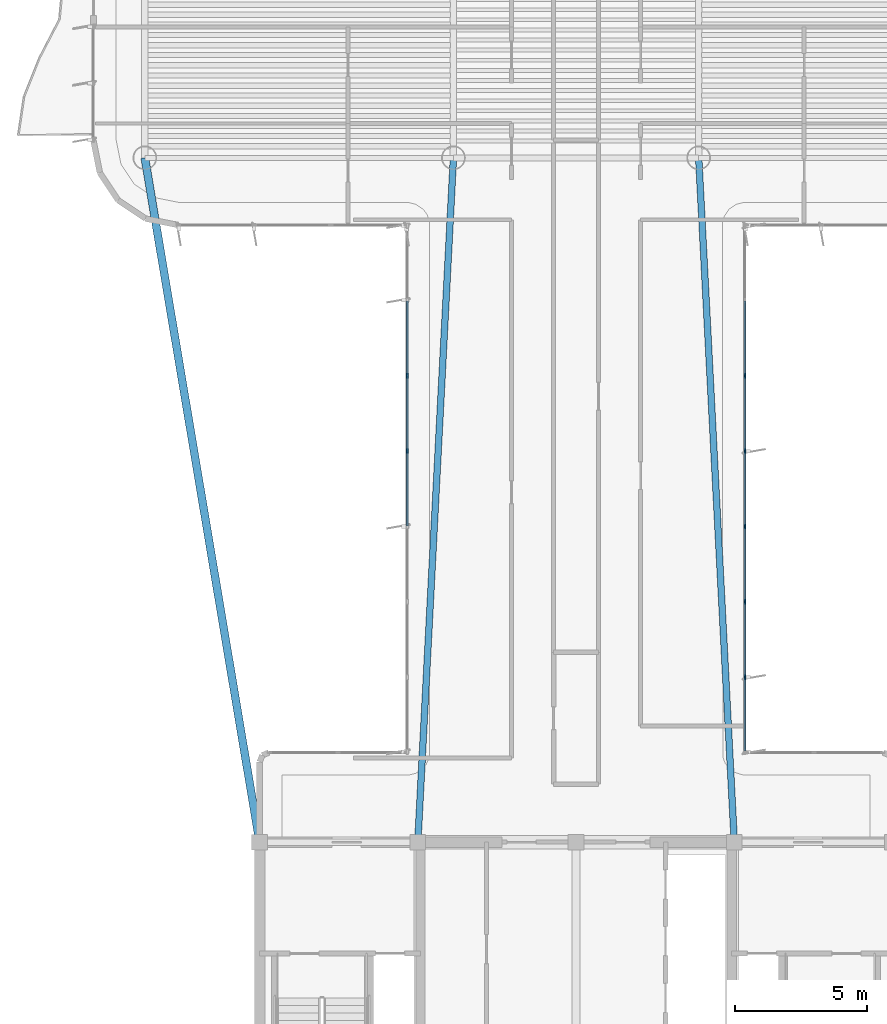
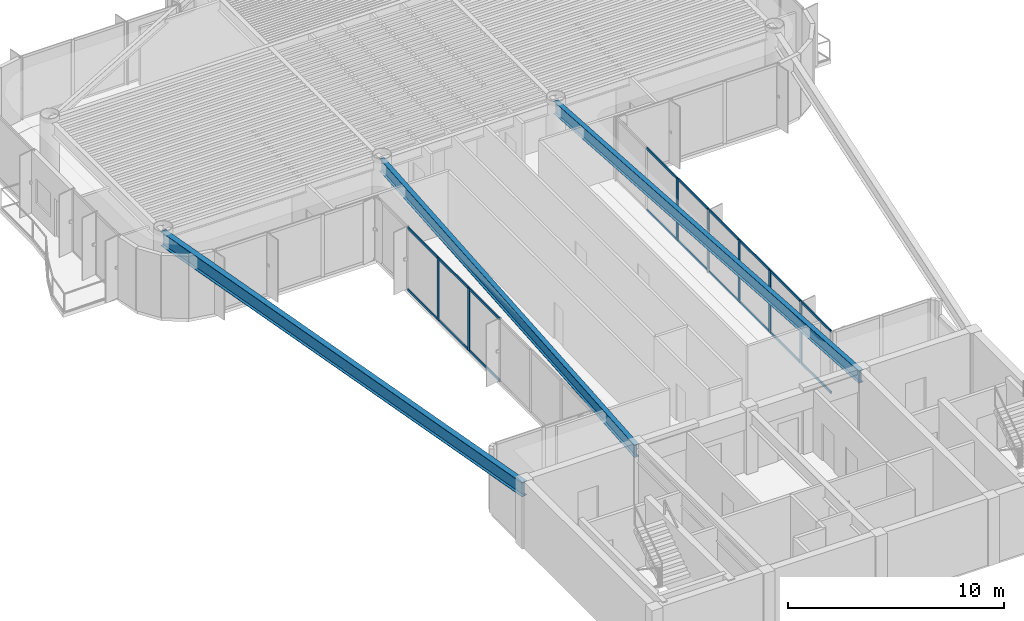
# One storey, part 3 of 15: 25 members, 3 beams, 2 elements without a shape of their own.
"""IFC4 building model written with IfcOpenShell, lengths in metres."""

import ifcopenshell
import ifcopenshell.guid

model = None  # the IFC model being written
_history = None  # IfcOwnerHistory: only IFC2X3 demands one
_inside = {}  # id of a spatial element -> (the spatial element, [elements in it])
_under = {}  # id of a project, library or spatial element -> (it, [spatial elements below it])
_declared = {}  # id of a project -> (the project, [libraries it declares])
_typed = {}  # id of a type object -> (the type object, [elements of that type])
_made_of = {}  # id of a material, layer set ... -> (it, [elements and type objects made of it])


def new_model(schema):
    """Start an empty IFC model of exactly this schema.

    Asked for "IFC4X3", IfcOpenShell would pick the latest addendum, in which some entities
    have other attributes; the version numbers below select the first issue.
    IFC2X3 requires an IfcOwnerHistory on every rooted entity: one is made here for all.
    """
    global model, _history
    if schema == "IFC4X3":
        model = ifcopenshell.file(schema_version=(4, 3, 0, 0))
    else:
        model = ifcopenshell.file(schema=schema)
    _inside.clear()
    _under.clear()
    _declared.clear()
    _typed.clear()
    _made_of.clear()
    _history = None
    if model.schema == "IFC2X3":
        org = make("IfcOrganization", Name="unknown")
        user = make(
            "IfcPersonAndOrganization",
            ThePerson=make("IfcPerson", FamilyName="unknown"),
            TheOrganization=org,
        )
        app = make(
            "IfcApplication",
            ApplicationDeveloper=org,
            Version="unknown",
            ApplicationFullName="unknown",
            ApplicationIdentifier="unknown",
        )
        _history = make(
            "IfcOwnerHistory",
            OwningUser=user,
            OwningApplication=app,
            ChangeAction="ADDED",
            CreationDate=0,
        )
    return model


def make(cls, **values):
    """One entity of the class cls with the attributes given. An attribute that is None is left unset."""
    return model.create_entity(
        cls, **{name: value for name, value in values.items() if value is not None}
    )


def rooted(cls, **values):
    """An entity with a GlobalId (a new one), such as an element, a storey or a relation."""
    return make(cls, GlobalId=ifcopenshell.guid.new(), OwnerHistory=_history, **values)


def si_unit(unit_type, name, prefix=None):
    """IfcSIUnit, for example si_unit("LENGTHUNIT", "METRE", prefix="MILLI")."""
    return make("IfcSIUnit", UnitType=unit_type, Prefix=prefix, Name=name)


def assignment(units):
    """IfcUnitAssignment: the units of a project."""
    return None if units is None else make("IfcUnitAssignment", Units=units)


def point(xyz):
    """IfcCartesianPoint."""
    return None if xyz is None else make("IfcCartesianPoint", Coordinates=xyz)


def direction(xyz):
    """IfcDirection."""
    return None if xyz is None else make("IfcDirection", DirectionRatios=xyz)


def frame(location, z_axis=None, x_axis=None):
    """IfcAxis2Placement3D, a coordinate frame: its origin and axes. An axis left out is left unset."""
    return make(
        "IfcAxis2Placement3D",
        Location=point(location),
        Axis=direction(z_axis),
        RefDirection=direction(x_axis),
    )


def frame_2d(location, x_axis=None):
    """IfcAxis2Placement2D, a coordinate frame in the plane: its origin and x axis."""
    return make(
        "IfcAxis2Placement2D", Location=point(location), RefDirection=direction(x_axis)
    )


def origin():
    """The frame at (0, 0, 0) with its axes left unset."""
    return frame((0.0, 0.0, 0.0))


def origin_2d():
    """The frame at (0, 0) in the plane with its x axis left unset."""
    return frame_2d((0.0, 0.0))


def place(relative_to, where):
    """IfcLocalPlacement: puts the frame where relative to a parent placement (None: the world)."""
    return make(
        "IfcLocalPlacement", PlacementRelTo=relative_to, RelativePlacement=where
    )


def context(
    kind, dimensions, precision=None, world=None, true_north=None, identifier=None
):
    """IfcGeometricRepresentationContext, for example the 3D "Model" context."""
    return make(
        "IfcGeometricRepresentationContext",
        ContextIdentifier=identifier,
        ContextType=kind,
        CoordinateSpaceDimension=dimensions,
        Precision=precision,
        WorldCoordinateSystem=world,
        TrueNorth=true_north,
    )


def subcontext(parent, identifier, kind, view, scale=None):
    """IfcGeometricRepresentationSubContext, for example "Body" below "Model"."""
    return make(
        "IfcGeometricRepresentationSubContext",
        ContextIdentifier=identifier,
        ContextType=kind,
        ParentContext=parent,
        TargetScale=scale,
        TargetView=view,
    )


def project(units=None, contexts=None):
    """IfcProject with its units and contexts."""
    return rooted(
        "IfcProject",
        Name="project",
        RepresentationContexts=contexts,
        UnitsInContext=assignment(units),
    )


def spatial(cls, under=None, at=None, **own):
    """A site, building, storey or space (cls), placed at a placement, below another one or the project."""
    s = rooted(cls, ObjectPlacement=at, **own)
    if under is not None:
        _under.setdefault(under.id(), (under, []))[1].append(s)
    return s


def profile(cls, at=None, kind="AREA", **sizes):
    """A parametric profile (cls). Its sizes go by their IFC names, for example OverallWidth=200.0."""
    return make(cls, ProfileType=kind, Position=at, **sizes)


def rectangle(**sizes):
    """IfcRectangleProfileDef."""
    return profile("IfcRectangleProfileDef", **sizes)


def i_section(**sizes):
    """IfcIShapeProfileDef."""
    return profile("IfcIShapeProfileDef", **sizes)


def extrude(swept, where, along, depth):
    """IfcExtrudedAreaSolid: the profile swept, set in the frame where, extruded along a direction by depth."""
    return make(
        "IfcExtrudedAreaSolid",
        SweptArea=swept,
        Position=where,
        ExtrudedDirection=direction(along),
        Depth=depth,
    )


def shape(context_of_items, identifier, shape_type, items):
    """IfcShapeRepresentation: the items that make up one representation, for example the "Body"."""
    return make(
        "IfcShapeRepresentation",
        ContextOfItems=context_of_items,
        RepresentationIdentifier=identifier,
        RepresentationType=shape_type,
        Items=items,
    )


def source(mapping_origin, context_of_items, identifier, shape_type, items):
    """IfcRepresentationMap: a shape defined once, which mapped items show again and again."""
    return make(
        "IfcRepresentationMap",
        MappingOrigin=mapping_origin,
        MappedRepresentation=shape(context_of_items, identifier, shape_type, items),
    )


def transform(
    local_origin,
    x_axis=None,
    y_axis=None,
    z_axis=None,
    scale=None,
    scale2=None,
    scale3=None,
    uniform=True,
):
    """IfcCartesianTransformationOperator3D, or its non-uniform kind. x_axis, y_axis, z_axis: its Axis1, 2, 3."""
    if uniform:
        return make(
            "IfcCartesianTransformationOperator3D",
            Axis1=direction(x_axis),
            Axis2=direction(y_axis),
            LocalOrigin=point(local_origin),
            Scale=scale,
            Axis3=direction(z_axis),
        )
    return make(
        "IfcCartesianTransformationOperator3DnonUniform",
        Axis1=direction(x_axis),
        Axis2=direction(y_axis),
        LocalOrigin=point(local_origin),
        Scale=scale,
        Axis3=direction(z_axis),
        Scale2=scale2,
        Scale3=scale3,
    )


def mapped(mapping_source, mapping_target):
    """IfcMappedItem: shows the shape of a source again, moved by a transform."""
    return make(
        "IfcMappedItem", MappingSource=mapping_source, MappingTarget=mapping_target
    )


def material(Name=None, Category=None):
    """IfcMaterial."""
    return make("IfcMaterial", Name=Name, Category=Category)


def layer(
    of_material, thickness, ventilated=None, Name=None, Category=None, Priority=None
):
    """IfcMaterialLayer: one layer of a wall or slab, of a material (None: an air gap)."""
    return make(
        "IfcMaterialLayer",
        Material=of_material,
        LayerThickness=thickness,
        IsVentilated=ventilated,
        Name=Name,
        Category=Category,
        Priority=Priority,
    )


def layer_set(layers, Name=None):
    """IfcMaterialLayerSet."""
    return make("IfcMaterialLayerSet", MaterialLayers=layers, LayerSetName=Name)


def material_profile(
    of_material, cross_section, Name=None, Category=None, Priority=None
):
    """IfcMaterialProfile: a cross section and its material."""
    return make(
        "IfcMaterialProfile",
        Name=Name,
        Material=of_material,
        Profile=cross_section,
        Priority=Priority,
        Category=Category,
    )


def profile_set(profiles, Name=None, composite=None):
    """IfcMaterialProfileSet."""
    return make(
        "IfcMaterialProfileSet",
        Name=Name,
        MaterialProfiles=profiles,
        CompositeProfile=composite,
    )


def made_of(thing, what):
    """Note that an element or type object is made of a material, layer set ...; save() writes the relation."""
    if what is not None:
        _made_of.setdefault(what.id(), (what, []))[1].append(thing)
    return thing


def type_object(cls, material=None, **own):
    """A type object (cls), such as IfcWallType, which elements share."""
    return made_of(rooted(cls, **own), material)


def element(
    cls,
    number,
    at=None,
    inside=None,
    cuts=None,
    type_object=None,
    material=None,
    context=None,
    identifier="Body",
    shape_type=None,
    held_by="IfcProductDefinitionShape",
    body=None,
    shapes=None,
    **own,
):
    """One element of the class cls, such as IfcWall. Its Tag is "e" and its number.

    at: its placement. inside: the storey or other place that contains it. cuts: it is an
    opening in that element (IfcRelVoidsElement). A single representation is given by context,
    identifier, shape_type and body (its items); several are given by shapes. held_by: the class
    of the entity that holds the representations. save() writes the other relations.
    """
    e = rooted(cls, Tag="e%d" % number, ObjectPlacement=at, **own)
    if body is not None:
        shapes = [shape(context, identifier, shape_type, body)]
    if shapes is not None:
        e.Representation = make(held_by, Representations=shapes)
    if inside is not None:
        _inside.setdefault(inside.id(), (inside, []))[1].append(e)
    if cuts is not None:
        rooted(
            "IfcRelVoidsElement", RelatingBuildingElement=cuts, RelatedOpeningElement=e
        )
    if type_object is not None:
        _typed.setdefault(type_object.id(), (type_object, []))[1].append(e)
    return made_of(e, material)


def aggregate(whole, parts):
    """IfcRelAggregates: a whole, such as a stair, and the parts it consists of."""
    return rooted("IfcRelAggregates", RelatingObject=whole, RelatedObjects=parts)


def save(model, path):
    """Write the relations noted so far, then the file.

    IfcRelAggregates (storeys below a building ...), IfcRelContainedInSpatialStructure (elements
    in a storey), IfcRelDefinesByType, IfcRelAssociatesMaterial and IfcRelDeclares: one each for
    every whole, place, type object, material and project.
    """
    for whole, parts in _under.values():
        aggregate(whole, parts)
    for where, things in _inside.values():
        rooted(
            "IfcRelContainedInSpatialStructure",
            RelatedElements=things,
            RelatingStructure=where,
        )
    for kind, things in _typed.values():
        rooted("IfcRelDefinesByType", RelatedObjects=things, RelatingType=kind)
    for what, things in _made_of.values():
        rooted("IfcRelAssociatesMaterial", RelatedObjects=things, RelatingMaterial=what)
    for by, libraries in _declared.values():
        rooted("IfcRelDeclares", RelatingContext=by, RelatedDefinitions=libraries)
    model.write(path)


model = new_model("IFC4")

# Units and contexts
model_context = context("Model", 3, precision=1e-05, world=origin(), true_north=direction((0.0, 1.0)))
body_context = subcontext(model_context, "Body", "Model", "MODEL_VIEW")
ifc_project = project(units=[si_unit("LENGTHUNIT", "METRE"), si_unit("AREAUNIT", "SQUARE_METRE"), si_unit("VOLUMEUNIT", "CUBIC_METRE"), si_unit("PLANEANGLEUNIT", "RADIAN"), si_unit("MASSUNIT", "GRAM", prefix="KILO")], contexts=[model_context])

# Site, building, storey
site_placement = place(None, origin())
site = spatial("IfcSite", under=ifc_project, at=site_placement, CompositionType="ELEMENT")
building_placement = place(site_placement, origin())
building = spatial("IfcBuilding", under=site, at=building_placement, Name="Brelvock Crest Care Tower", CompositionType="ELEMENT")
storey_placement = place(building_placement, frame((0.0, 0.0, 249.47998046875)))
storey = spatial("IfcBuildingStorey", under=building, at=storey_placement, Name="L63", CompositionType="ELEMENT", Elevation=249.47998046875)

# Beams
ifc_material_1 = material(Name="Steel Grade 350", Category="steel")
ifc_material_profile_1 = material_profile(ifc_material_1, i_section(OverallWidth=0.25, OverallDepth=0.699951171875, WebThickness=0.011962890625, FlangeThickness=0.02001953125, at=origin_2d()), Name="700WB150")
ifc_profile_set_1 = profile_set([ifc_material_profile_1], Name="Steel Grade 350")
beam_type_1 = type_object("IfcBeamType", Name="BM-G4", PredefinedType="BEAM", material=ifc_profile_set_1)
shared_shape_1 = source(origin(), body_context, "Body", "SweptSolid", [
    extrude(i_section(OverallWidth=0.25, OverallDepth=0.699951171875, WebThickness=0.011962890625, FlangeThickness=0.02001953125, at=origin_2d()), origin(), (0.0, 0.0, 1.0), 25.985107421875),
])
for number, where, z_axis, x_axis, name in (
    (1, (30.0, 18.0, 3.179931640625), (0.051956711656, 0.998649337913, 0.0), (-0.998649337913, 0.051956711656, 0.0), "BM-THRW-L63"),
    (2, (42.0, 18.0, 3.179931640625), (-0.051956711656, 0.998649337913, 0.0), (-0.998649337913, -0.051956711656, 0.0), "BM-THRE-L63"),
):
    element("IfcBeam", number, at=place(storey_placement, frame(where, z_axis=z_axis, x_axis=x_axis)), inside=storey, type_object=beam_type_1, Name=name, PredefinedType="BEAM", context=body_context, shape_type="MappedRepresentation", body=[
        mapped(shared_shape_1, transform((0.0, 0.0, 0.0), x_axis=(1.0, 0.0, 0.0), y_axis=(0.0, 1.0, 0.0), z_axis=(0.0, 0.0, 1.0), scale=1.0)),
    ])
ifc_material_profile_2 = material_profile(ifc_material_1, i_section(OverallWidth=0.300048828125, OverallDepth=0.800048828125, WebThickness=0.013916015625, FlangeThickness=0.02197265625, at=origin_2d()), Name="800WB192")
ifc_profile_set_2 = profile_set([ifc_material_profile_2], Name="Steel Grade 350")
beam_type_2 = type_object("IfcBeamType", Name="BM-G5", PredefinedType="BEAM", material=ifc_profile_set_2)
shared_shape_2 = source(origin(), body_context, "Body", "SweptSolid", [
    extrude(i_section(OverallWidth=0.300048828125, OverallDepth=0.800048828125, WebThickness=0.013916015625, FlangeThickness=0.02197265625, at=origin_2d()), origin(), (0.0, 0.0, 1.0), 26.31201171875),
])
beam_placement = place(storey_placement, frame((24.0, 18.0, 3.130126953125), z_axis=(-0.165327282709, 0.986238758918, 0.0), x_axis=(-0.986238758918, -0.165327282709, 0.0)))
element("IfcBeam", 3, at=beam_placement, inside=storey, type_object=beam_type_2, Name="BM-THRO-W-L63", PredefinedType="BEAM", context=body_context, shape_type="MappedRepresentation", body=[
    mapped(shared_shape_2, transform((0.0, 0.0, 0.0), x_axis=(1.0, 0.0, 0.0), y_axis=(0.0, 1.0, 0.0), z_axis=(0.0, 0.0, 1.0), scale=1.0)),
])

# Curtain wall, members
ifc_material_2 = material(Name="Dark Glass Double Glazed Low-E", Category="glass")
ifc_layer = layer(ifc_material_2, 0.239990234375, Name="CWS-5")
ifc_layer_set = layer_set([ifc_layer], Name="Dark Glass Double Glazed Low-E")
curtain_wall_type = type_object("IfcCurtainWallType", Name="CWS-5", PredefinedType="NOTDEFINED", material=ifc_layer_set)
curtain_wall_1_placement = place(storey_placement, origin())
curtain_wall_1 = element("IfcCurtainWall", 4, at=curtain_wall_1_placement, inside=storey, type_object=curtain_wall_type, Name="L63 Curtain Wall E11", PredefinedType="NOTDEFINED")
ifc_material_3 = material(Name="Aluminium 6063-T6", Category="aluminium")
ifc_material_profile_3 = material_profile(ifc_material_3, rectangle(XDim=0.06005859375, YDim=0.179931640625, at=origin_2d()), Name="ALU60x180")
ifc_profile_set_3 = profile_set([ifc_material_profile_3], Name="Aluminium 6063-T6")
member_type_1 = type_object("IfcMemberType", Name="CWM-2", PredefinedType="MULLION", material=ifc_profile_set_3)
shared_shape_3 = source(origin(), body_context, "Body", "SweptSolid", [
    extrude(rectangle(XDim=0.06005859375, YDim=0.179931640625, at=origin_2d()), origin(), (0.0, 0.0, 1.0), 3.530029296875),
])
member_1_placement = place(storey_placement, frame((29.60009765625, 32.82861328125, 0.0), z_axis=(0.0, 0.0, 1.0), x_axis=(-1.0, 0.0, 0.0)))
member_1 = element("IfcMember", 5, at=member_1_placement, type_object=member_type_1, Name="CW-5 mullion 5", PredefinedType="MULLION", context=body_context, shape_type="MappedRepresentation", body=[
    mapped(shared_shape_3, transform((0.0, 0.0, 0.0), x_axis=(1.0, 0.0, 0.0), y_axis=(0.0, 1.0, 0.0), z_axis=(0.0, 0.0, 1.0), scale=1.0)),
])
member_2_placement = place(storey_placement, frame((29.60009765625, 35.685791015625, 0.0), z_axis=(0.0, 0.0, 1.0), x_axis=(-1.0, 0.0, 0.0)))
member_2 = element("IfcMember", 6, at=member_2_placement, type_object=member_type_1, Name="CW-5 mullion 6", PredefinedType="MULLION", context=body_context, shape_type="MappedRepresentation", body=[
    mapped(shared_shape_3, transform((0.0, 0.0, 0.0), x_axis=(1.0, 0.0, 0.0), y_axis=(0.0, 1.0, 0.0), z_axis=(0.0, 0.0, 1.0), scale=1.0)),
])

curtain_wall_2_placement = place(storey_placement, origin())
curtain_wall_2 = element("IfcCurtainWall", 7, at=curtain_wall_2_placement, inside=storey, type_object=curtain_wall_type, Name="L63 Curtain Wall E45", PredefinedType="NOTDEFINED")
member_3_placement = place(storey_placement, frame((42.39990234375, 35.685791015625, 0.0), z_axis=(0.0, 0.0, 1.0), x_axis=(1.0, 0.0, 0.0)))
member_3 = element("IfcMember", 8, at=member_3_placement, type_object=member_type_1, Name="CW-5 mullion 3", PredefinedType="MULLION", context=body_context, shape_type="MappedRepresentation", body=[
    mapped(shared_shape_3, transform((0.0, 0.0, 0.0), x_axis=(1.0, 0.0, 0.0), y_axis=(0.0, 1.0, 0.0), z_axis=(0.0, 0.0, 1.0), scale=1.0)),
])
member_4_placement = place(storey_placement, frame((42.39990234375, 32.82861328125, 0.0), z_axis=(0.0, 0.0, 1.0), x_axis=(1.0, 0.0, 0.0)))
member_4 = element("IfcMember", 9, at=member_4_placement, type_object=member_type_1, Name="CW-5 mullion 4", PredefinedType="MULLION", context=body_context, shape_type="MappedRepresentation", body=[
    mapped(shared_shape_3, transform((0.0, 0.0, 0.0), x_axis=(1.0, 0.0, 0.0), y_axis=(0.0, 1.0, 0.0), z_axis=(0.0, 0.0, 1.0), scale=1.0)),
])
member_5_placement = place(storey_placement, frame((42.39990234375, 29.971435546875, 0.0), z_axis=(0.0, 0.0, 1.0), x_axis=(1.0, 0.0, 0.0)))
member_5 = element("IfcMember", 10, at=member_5_placement, type_object=member_type_1, Name="CW-5 mullion 5", PredefinedType="MULLION", context=body_context, shape_type="MappedRepresentation", body=[
    mapped(shared_shape_3, transform((0.0, 0.0, 0.0), x_axis=(1.0, 0.0, 0.0), y_axis=(0.0, 1.0, 0.0), z_axis=(0.0, 0.0, 1.0), scale=1.0)),
])
member_6_placement = place(storey_placement, frame((42.39990234375, 27.1142578125, 0.0), z_axis=(0.0, 0.0, 1.0), x_axis=(1.0, 0.0, 0.0)))
member_6 = element("IfcMember", 11, at=member_6_placement, type_object=member_type_1, Name="CW-5 mullion 6", PredefinedType="MULLION", context=body_context, shape_type="MappedRepresentation", body=[
    mapped(shared_shape_3, transform((0.0, 0.0, 0.0), x_axis=(1.0, 0.0, 0.0), y_axis=(0.0, 1.0, 0.0), z_axis=(0.0, 0.0, 1.0), scale=1.0)),
])
member_7_placement = place(storey_placement, frame((42.39990234375, 24.257080078125, 0.0), z_axis=(0.0, 0.0, 1.0), x_axis=(1.0, 0.0, 0.0)))
member_7 = element("IfcMember", 12, at=member_7_placement, type_object=member_type_1, Name="CW-5 mullion 7", PredefinedType="MULLION", context=body_context, shape_type="MappedRepresentation", body=[
    mapped(shared_shape_3, transform((0.0, 0.0, 0.0), x_axis=(1.0, 0.0, 0.0), y_axis=(0.0, 1.0, 0.0), z_axis=(0.0, 0.0, 1.0), scale=1.0)),
])
ifc_material_profile_4 = material_profile(ifc_material_3, rectangle(XDim=0.06005859375, YDim=0.139892578125, at=origin_2d()), Name="ALU60x140")
ifc_profile_set_4 = profile_set([ifc_material_profile_4], Name="Aluminium 6063-T6")
member_type_2 = type_object("IfcMemberType", Name="CWT-2", PredefinedType="USERDEFINED", material=ifc_profile_set_4)
shared_shape_4 = source(origin(), body_context, "Body", "SweptSolid", [
    extrude(rectangle(XDim=0.06005859375, YDim=0.139892578125, at=origin_2d()), origin(), (0.0, 0.0, 1.0), 2.76708984375),
])
member_8_placement = place(storey_placement, frame((42.39990234375, 24.22705078125, 0.030029296875), z_axis=(0.0, -1.0, 0.0), x_axis=(1.0, 0.0, 0.0)))
member_8 = element("IfcMember", 13, at=member_8_placement, type_object=member_type_2, Name="CW-5 transom 7.1", ObjectType="TRANSOM", PredefinedType="USERDEFINED", context=body_context, shape_type="MappedRepresentation", body=[
    mapped(shared_shape_4, transform((0.0, 0.0, 0.0), x_axis=(1.0, 0.0, 0.0), y_axis=(0.0, 1.0, 0.0), z_axis=(0.0, 0.0, 1.0), scale=1.0)),
])
member_9_placement = place(storey_placement, frame((42.39990234375, 24.22705078125, 3.5), z_axis=(0.0, -1.0, 0.0), x_axis=(1.0, 0.0, 0.0)))
member_9 = element("IfcMember", 14, at=member_9_placement, type_object=member_type_2, Name="CW-5 transom 7.2", ObjectType="TRANSOM", PredefinedType="USERDEFINED", context=body_context, shape_type="MappedRepresentation", body=[
    mapped(shared_shape_4, transform((0.0, 0.0, 0.0), x_axis=(1.0, 0.0, 0.0), y_axis=(0.0, 1.0, 0.0), z_axis=(0.0, 0.0, 1.0), scale=1.0)),
])

# Member
shared_shape_5 = source(origin(), body_context, "Body", "SweptSolid", [
    extrude(rectangle(XDim=0.06005859375, YDim=0.139892578125, at=origin_2d()), origin(), (0.0, 0.0, 1.0), 2.797119140625),
])
member_10_placement = place(storey_placement, frame((29.60009765625, 30.00146484375, 0.030029296875), z_axis=(0.0, 1.0, 0.0), x_axis=(-1.0, 0.0, 0.0)))
member_10 = element("IfcMember", 15, at=member_10_placement, type_object=member_type_2, Name="CW-5 transom 4.1", ObjectType="TRANSOM", PredefinedType="USERDEFINED", context=body_context, shape_type="MappedRepresentation", body=[
    mapped(shared_shape_5, transform((0.0, 0.0, 0.0), x_axis=(1.0, 0.0, 0.0), y_axis=(0.0, 1.0, 0.0), z_axis=(0.0, 0.0, 1.0), scale=1.0)),
])

member_11_placement = place(storey_placement, frame((29.60009765625, 30.00146484375, 3.5), z_axis=(0.0, 1.0, 0.0), x_axis=(-1.0, 0.0, 0.0)))
member_11 = element("IfcMember", 16, at=member_11_placement, type_object=member_type_2, Name="CW-5 transom 4.2", ObjectType="TRANSOM", PredefinedType="USERDEFINED", context=body_context, shape_type="MappedRepresentation", body=[
    mapped(shared_shape_5, transform((0.0, 0.0, 0.0), x_axis=(1.0, 0.0, 0.0), y_axis=(0.0, 1.0, 0.0), z_axis=(0.0, 0.0, 1.0), scale=1.0)),
])

member_12_placement = place(storey_placement, frame((29.60009765625, 32.858642578125, 0.030029296875), z_axis=(0.0, 1.0, 0.0), x_axis=(-1.0, 0.0, 0.0)))
member_12 = element("IfcMember", 17, at=member_12_placement, type_object=member_type_2, Name="CW-5 transom 5.1", ObjectType="TRANSOM", PredefinedType="USERDEFINED", context=body_context, shape_type="MappedRepresentation", body=[
    mapped(shared_shape_5, transform((0.0, 0.0, 0.0), x_axis=(1.0, 0.0, 0.0), y_axis=(0.0, 1.0, 0.0), z_axis=(0.0, 0.0, 1.0), scale=1.0)),
])

member_13_placement = place(storey_placement, frame((29.60009765625, 32.858642578125, 3.5), z_axis=(0.0, 1.0, 0.0), x_axis=(-1.0, 0.0, 0.0)))
member_13 = element("IfcMember", 18, at=member_13_placement, type_object=member_type_2, Name="CW-5 transom 5.2", ObjectType="TRANSOM", PredefinedType="USERDEFINED", context=body_context, shape_type="MappedRepresentation", body=[
    mapped(shared_shape_5, transform((0.0, 0.0, 0.0), x_axis=(1.0, 0.0, 0.0), y_axis=(0.0, 1.0, 0.0), z_axis=(0.0, 0.0, 1.0), scale=1.0)),
])

member_14_placement = place(storey_placement, frame((29.60009765625, 35.7158203125, 0.030029296875), z_axis=(0.0, 1.0, 0.0), x_axis=(-1.0, 0.0, 0.0)))
member_14 = element("IfcMember", 19, at=member_14_placement, type_object=member_type_2, Name="CW-5 transom 6.1", ObjectType="TRANSOM", PredefinedType="USERDEFINED", context=body_context, shape_type="MappedRepresentation", body=[
    mapped(shared_shape_5, transform((0.0, 0.0, 0.0), x_axis=(1.0, 0.0, 0.0), y_axis=(0.0, 1.0, 0.0), z_axis=(0.0, 0.0, 1.0), scale=1.0)),
])

member_15_placement = place(storey_placement, frame((29.60009765625, 35.7158203125, 3.5), z_axis=(0.0, 1.0, 0.0), x_axis=(-1.0, 0.0, 0.0)))
member_15 = element("IfcMember", 20, at=member_15_placement, type_object=member_type_2, Name="CW-5 transom 6.2", ObjectType="TRANSOM", PredefinedType="USERDEFINED", context=body_context, shape_type="MappedRepresentation", body=[
    mapped(shared_shape_5, transform((0.0, 0.0, 0.0), x_axis=(1.0, 0.0, 0.0), y_axis=(0.0, 1.0, 0.0), z_axis=(0.0, 0.0, 1.0), scale=1.0)),
])

aggregate(curtain_wall_1, [member_1, member_2, member_10, member_11, member_12, member_13, member_14, member_15])

member_16_placement = place(storey_placement, frame((42.39990234375, 38.512939453125, 0.030029296875), z_axis=(0.0, -1.0, 0.0), x_axis=(1.0, 0.0, 0.0)))
member_16 = element("IfcMember", 21, at=member_16_placement, type_object=member_type_2, Name="CW-5 transom 2.1", ObjectType="TRANSOM", PredefinedType="USERDEFINED", context=body_context, shape_type="MappedRepresentation", body=[
    mapped(shared_shape_5, transform((0.0, 0.0, 0.0), x_axis=(1.0, 0.0, 0.0), y_axis=(0.0, 1.0, 0.0), z_axis=(0.0, 0.0, 1.0), scale=1.0)),
])

member_17_placement = place(storey_placement, frame((42.39990234375, 38.512939453125, 3.5), z_axis=(0.0, -1.0, 0.0), x_axis=(1.0, 0.0, 0.0)))
member_17 = element("IfcMember", 22, at=member_17_placement, type_object=member_type_2, Name="CW-5 transom 2.2", ObjectType="TRANSOM", PredefinedType="USERDEFINED", context=body_context, shape_type="MappedRepresentation", body=[
    mapped(shared_shape_5, transform((0.0, 0.0, 0.0), x_axis=(1.0, 0.0, 0.0), y_axis=(0.0, 1.0, 0.0), z_axis=(0.0, 0.0, 1.0), scale=1.0)),
])

member_18_placement = place(storey_placement, frame((42.39990234375, 35.65576171875, 0.030029296875), z_axis=(0.0, -1.0, 0.0), x_axis=(1.0, 0.0, 0.0)))
member_18 = element("IfcMember", 23, at=member_18_placement, type_object=member_type_2, Name="CW-5 transom 3.1", ObjectType="TRANSOM", PredefinedType="USERDEFINED", context=body_context, shape_type="MappedRepresentation", body=[
    mapped(shared_shape_5, transform((0.0, 0.0, 0.0), x_axis=(1.0, 0.0, 0.0), y_axis=(0.0, 1.0, 0.0), z_axis=(0.0, 0.0, 1.0), scale=1.0)),
])

member_19_placement = place(storey_placement, frame((42.39990234375, 35.65576171875, 3.5), z_axis=(0.0, -1.0, 0.0), x_axis=(1.0, 0.0, 0.0)))
member_19 = element("IfcMember", 24, at=member_19_placement, type_object=member_type_2, Name="CW-5 transom 3.2", ObjectType="TRANSOM", PredefinedType="USERDEFINED", context=body_context, shape_type="MappedRepresentation", body=[
    mapped(shared_shape_5, transform((0.0, 0.0, 0.0), x_axis=(1.0, 0.0, 0.0), y_axis=(0.0, 1.0, 0.0), z_axis=(0.0, 0.0, 1.0), scale=1.0)),
])

member_20_placement = place(storey_placement, frame((42.39990234375, 32.798583984375, 0.030029296875), z_axis=(0.0, -1.0, 0.0), x_axis=(1.0, 0.0, 0.0)))
member_20 = element("IfcMember", 25, at=member_20_placement, type_object=member_type_2, Name="CW-5 transom 4.1", ObjectType="TRANSOM", PredefinedType="USERDEFINED", context=body_context, shape_type="MappedRepresentation", body=[
    mapped(shared_shape_5, transform((0.0, 0.0, 0.0), x_axis=(1.0, 0.0, 0.0), y_axis=(0.0, 1.0, 0.0), z_axis=(0.0, 0.0, 1.0), scale=1.0)),
])

member_21_placement = place(storey_placement, frame((42.39990234375, 32.798583984375, 3.5), z_axis=(0.0, -1.0, 0.0), x_axis=(1.0, 0.0, 0.0)))
member_21 = element("IfcMember", 26, at=member_21_placement, type_object=member_type_2, Name="CW-5 transom 4.2", ObjectType="TRANSOM", PredefinedType="USERDEFINED", context=body_context, shape_type="MappedRepresentation", body=[
    mapped(shared_shape_5, transform((0.0, 0.0, 0.0), x_axis=(1.0, 0.0, 0.0), y_axis=(0.0, 1.0, 0.0), z_axis=(0.0, 0.0, 1.0), scale=1.0)),
])

member_22_placement = place(storey_placement, frame((42.39990234375, 29.94140625, 0.030029296875), z_axis=(0.0, -1.0, 0.0), x_axis=(1.0, 0.0, 0.0)))
member_22 = element("IfcMember", 27, at=member_22_placement, type_object=member_type_2, Name="CW-5 transom 5.1", ObjectType="TRANSOM", PredefinedType="USERDEFINED", context=body_context, shape_type="MappedRepresentation", body=[
    mapped(shared_shape_5, transform((0.0, 0.0, 0.0), x_axis=(1.0, 0.0, 0.0), y_axis=(0.0, 1.0, 0.0), z_axis=(0.0, 0.0, 1.0), scale=1.0)),
])

member_23_placement = place(storey_placement, frame((42.39990234375, 29.94140625, 3.5), z_axis=(0.0, -1.0, 0.0), x_axis=(1.0, 0.0, 0.0)))
member_23 = element("IfcMember", 28, at=member_23_placement, type_object=member_type_2, Name="CW-5 transom 5.2", ObjectType="TRANSOM", PredefinedType="USERDEFINED", context=body_context, shape_type="MappedRepresentation", body=[
    mapped(shared_shape_5, transform((0.0, 0.0, 0.0), x_axis=(1.0, 0.0, 0.0), y_axis=(0.0, 1.0, 0.0), z_axis=(0.0, 0.0, 1.0), scale=1.0)),
])

member_24_placement = place(storey_placement, frame((42.39990234375, 27.084228515625, 0.030029296875), z_axis=(0.0, -1.0, 0.0), x_axis=(1.0, 0.0, 0.0)))
member_24 = element("IfcMember", 29, at=member_24_placement, type_object=member_type_2, Name="CW-5 transom 6.1", ObjectType="TRANSOM", PredefinedType="USERDEFINED", context=body_context, shape_type="MappedRepresentation", body=[
    mapped(shared_shape_5, transform((0.0, 0.0, 0.0), x_axis=(1.0, 0.0, 0.0), y_axis=(0.0, 1.0, 0.0), z_axis=(0.0, 0.0, 1.0), scale=1.0)),
])

member_25_placement = place(storey_placement, frame((42.39990234375, 27.084228515625, 3.5), z_axis=(0.0, -1.0, 0.0), x_axis=(1.0, 0.0, 0.0)))
member_25 = element("IfcMember", 30, at=member_25_placement, type_object=member_type_2, Name="CW-5 transom 6.2", ObjectType="TRANSOM", PredefinedType="USERDEFINED", context=body_context, shape_type="MappedRepresentation", body=[
    mapped(shared_shape_5, transform((0.0, 0.0, 0.0), x_axis=(1.0, 0.0, 0.0), y_axis=(0.0, 1.0, 0.0), z_axis=(0.0, 0.0, 1.0), scale=1.0)),
])

aggregate(curtain_wall_2, [member_3, member_4, member_5, member_6, member_7, member_16, member_17, member_18, member_19, member_20, member_21, member_22, member_23, member_24, member_25, member_8, member_9])

save(model, "model.ifc")
